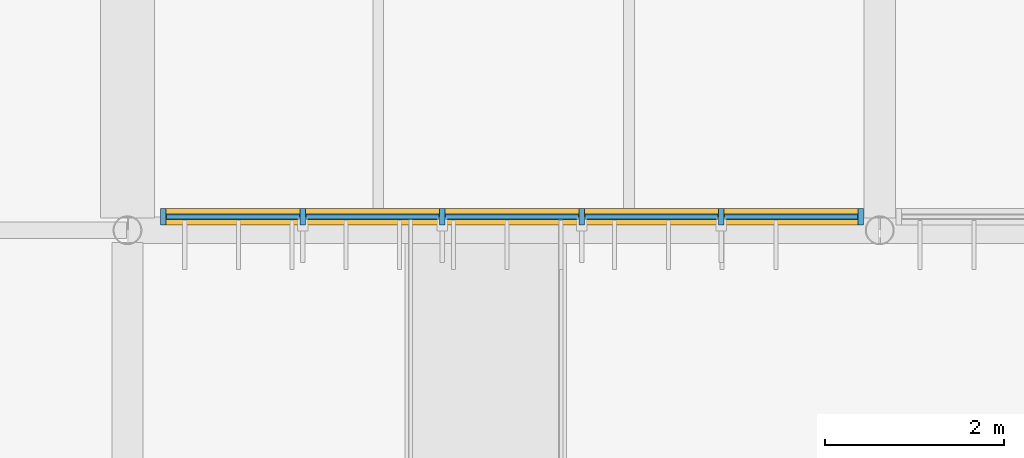
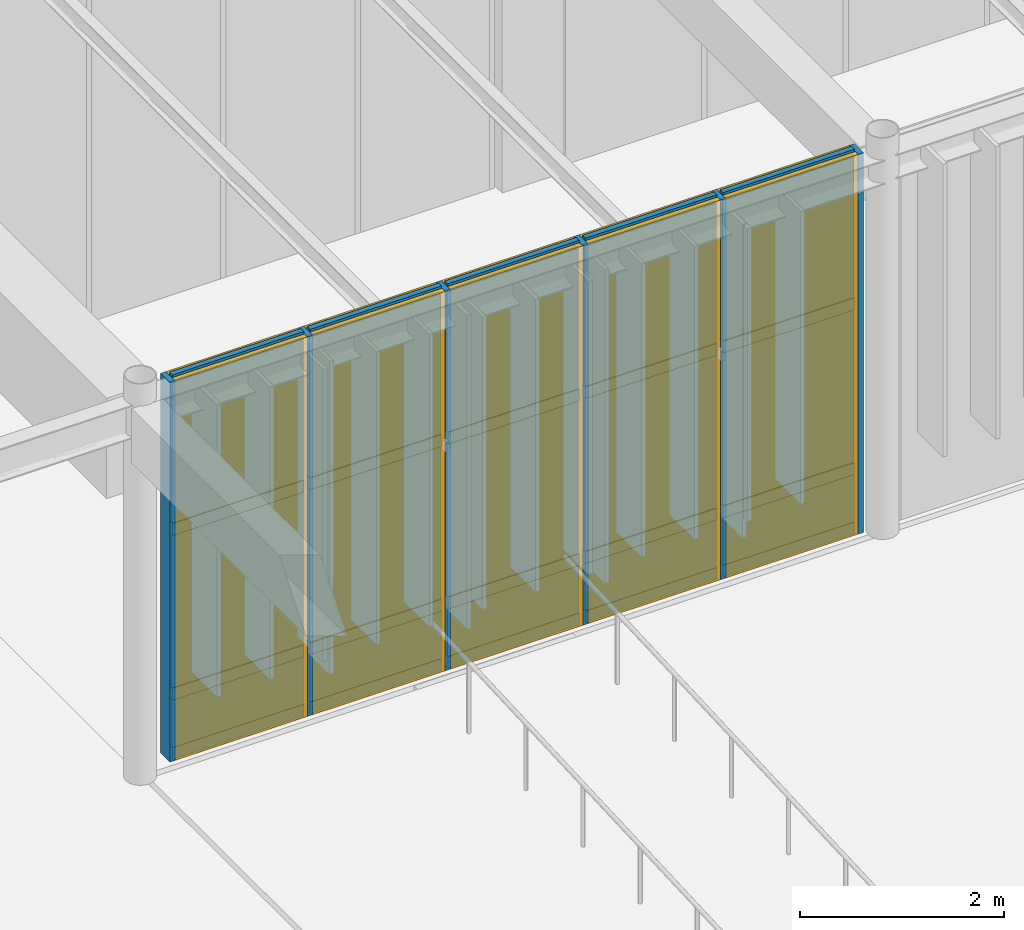
# One storey, part 65 of 122: 26 members, 15 plates, 1 curtain wall.
"""IFC4 building model written with IfcOpenShell, lengths in metres."""

from ifc_helpers import new_model, si_unit, direction, frame, frame_2d, origin, origin_2d, place, context, subcontext, project, spatial, rectangle, extrude, material, layer, layer_set, material_profile, profile_set, type_object, element, aggregate, save


model = new_model("IFC4")

# Units and contexts
model_context = context("Model", 3, precision=1e-05, world=origin(), true_north=direction((0.0, 1.0)))
body_context = subcontext(model_context, "Body", "Model", "MODEL_VIEW")
ifc_project = project(units=[si_unit("LENGTHUNIT", "METRE"), si_unit("AREAUNIT", "SQUARE_METRE"), si_unit("VOLUMEUNIT", "CUBIC_METRE"), si_unit("PLANEANGLEUNIT", "RADIAN"), si_unit("MASSUNIT", "GRAM", prefix="KILO")], contexts=[model_context])

# Member
ifc_material_1 = material(Name="Anodised Bronze Aluminium 6063-T6", Category="aluminium")
ifc_material_profile_1 = material_profile(ifc_material_1, rectangle(XDim=0.06005859375, YDim=0.179931640625, at=origin_2d()), Name="ALU MULLION 60x180")
ifc_profile_set_1 = profile_set([ifc_material_profile_1], Name="Anodised Bronze Aluminium 6063-T6")
member_type_1 = type_object("IfcMemberType", Name="Curtain-Wall Primary Mullion 60x180", PredefinedType="MULLION", material=ifc_profile_set_1)
site_placement = place(None, origin())
building_placement = place(site_placement, origin())
storey_placement = place(building_placement, origin())
member_1_placement = place(storey_placement, frame((28.0, 44.75, 0.0), z_axis=(0.0, 0.0, 1.0), x_axis=(1.0, 0.0, 0.0)))
member_1 = element("IfcMember", 1, at=member_1_placement, type_object=member_type_1, Name="Mullion CWM-01 CW-WLNK-S-L00-B1-M01", PredefinedType="MULLION", context=body_context, shape_type="SweptSolid", body=[
    extrude(rectangle(XDim=0.06005859375, YDim=0.179931640625, at=origin_2d()), origin(), (0.0, 0.0, 1.0), 4.5400390625),
])

member_2_placement = place(storey_placement, frame((29.5576171875, 44.75, 0.0), z_axis=(0.0, 0.0, 1.0), x_axis=(1.0, 0.0, 0.0)))
member_2 = element("IfcMember", 2, at=member_2_placement, type_object=member_type_1, Name="Mullion CWM-01 CW-WLNK-S-L00-B1-M02", PredefinedType="MULLION", context=body_context, shape_type="SweptSolid", body=[
    extrude(rectangle(XDim=0.06005859375, YDim=0.179931640625, at=origin_2d()), origin(), (0.0, 0.0, 1.0), 4.5400390625),
])

member_3_placement = place(storey_placement, frame((31.115234375, 44.75, 0.0), z_axis=(0.0, 0.0, 1.0), x_axis=(1.0, 0.0, 0.0)))
member_3 = element("IfcMember", 3, at=member_3_placement, type_object=member_type_1, Name="Mullion CWM-01 CW-WLNK-S-L00-B1-M03", PredefinedType="MULLION", context=body_context, shape_type="SweptSolid", body=[
    extrude(rectangle(XDim=0.06005859375, YDim=0.179931640625, at=origin_2d()), origin(), (0.0, 0.0, 1.0), 4.5400390625),
])

member_4_placement = place(storey_placement, frame((32.6728515625, 44.75, 0.0), z_axis=(0.0, 0.0, 1.0), x_axis=(1.0, 0.0, 0.0)))
member_4 = element("IfcMember", 4, at=member_4_placement, type_object=member_type_1, Name="Mullion CWM-01 CW-WLNK-S-L00-B1-M04", PredefinedType="MULLION", context=body_context, shape_type="SweptSolid", body=[
    extrude(rectangle(XDim=0.06005859375, YDim=0.179931640625, at=origin_2d()), origin(), (0.0, 0.0, 1.0), 4.5400390625),
])

member_5_placement = place(storey_placement, frame((34.23046875, 44.75, 0.0), z_axis=(0.0, 0.0, 1.0), x_axis=(1.0, 0.0, 0.0)))
member_5 = element("IfcMember", 5, at=member_5_placement, type_object=member_type_1, Name="Mullion CWM-01 CW-WLNK-S-L00-B1-M05", PredefinedType="MULLION", context=body_context, shape_type="SweptSolid", body=[
    extrude(rectangle(XDim=0.06005859375, YDim=0.179931640625, at=origin_2d()), origin(), (0.0, 0.0, 1.0), 4.5400390625),
])

member_6_placement = place(storey_placement, frame((35.7880859375, 44.75, 0.0), z_axis=(0.0, 0.0, 1.0), x_axis=(1.0, 0.0, 0.0)))
member_6 = element("IfcMember", 6, at=member_6_placement, type_object=member_type_1, Name="Mullion CWM-01 CW-WLNK-S-L00-B1-M06", PredefinedType="MULLION", context=body_context, shape_type="SweptSolid", body=[
    extrude(rectangle(XDim=0.06005859375, YDim=0.179931640625, at=origin_2d()), origin(), (0.0, 0.0, 1.0), 4.5400390625),
])

ifc_material_profile_2 = material_profile(ifc_material_1, rectangle(XDim=0.06005859375, YDim=0.139892578125, at=origin_2d()), Name="ALU TRANSOM 60x140")
ifc_profile_set_2 = profile_set([ifc_material_profile_2], Name="Anodised Bronze Aluminium 6063-T6")
member_type_2 = type_object("IfcMemberType", Name="Curtain-Wall Transom 60x140", PredefinedType="USERDEFINED", material=ifc_profile_set_2)
member_7_placement = place(storey_placement, frame((28.034912109375, 44.75, 0.0400390625), z_axis=(1.0, 0.0, 0.0), x_axis=(0.0, 1.0, 0.0)))
member_7 = element("IfcMember", 7, at=member_7_placement, type_object=member_type_2, Name="Transom CWT-01 CW-WLNK-S-L00-B1-T01.1", ObjectType="TRANSOM", PredefinedType="USERDEFINED", context=body_context, shape_type="SweptSolid", body=[
    extrude(rectangle(XDim=0.06005859375, YDim=0.139892578125, at=origin_2d()), origin(), (0.0, 0.0, 1.0), 1.48779296875),
])

member_8_placement = place(storey_placement, frame((28.034912109375, 44.75, 0.75), z_axis=(1.0, 0.0, 0.0), x_axis=(0.0, 1.0, 0.0)))
member_8 = element("IfcMember", 8, at=member_8_placement, type_object=member_type_2, Name="Transom CWT-01 CW-WLNK-S-L00-B1-T01.2", ObjectType="TRANSOM", PredefinedType="USERDEFINED", context=body_context, shape_type="SweptSolid", body=[
    extrude(rectangle(XDim=0.06005859375, YDim=0.139892578125, at=origin_2d()), origin(), (0.0, 0.0, 1.0), 1.48779296875),
])

member_9_placement = place(storey_placement, frame((28.034912109375, 44.75, 2.720703125), z_axis=(1.0, 0.0, 0.0), x_axis=(0.0, 1.0, 0.0)))
member_9 = element("IfcMember", 9, at=member_9_placement, type_object=member_type_2, Name="Transom CWT-01 CW-WLNK-S-L00-B1-T01.3", ObjectType="TRANSOM", PredefinedType="USERDEFINED", context=body_context, shape_type="SweptSolid", body=[
    extrude(rectangle(XDim=0.06005859375, YDim=0.139892578125, at=origin_2d()), origin(), (0.0, 0.0, 1.0), 1.48779296875),
])

member_10_placement = place(storey_placement, frame((28.034912109375, 44.75, 4.5), z_axis=(1.0, 0.0, 0.0), x_axis=(0.0, 1.0, 0.0)))
member_10 = element("IfcMember", 10, at=member_10_placement, type_object=member_type_2, Name="Transom CWT-01 CW-WLNK-S-L00-B1-T01.4", ObjectType="TRANSOM", PredefinedType="USERDEFINED", context=body_context, shape_type="SweptSolid", body=[
    extrude(rectangle(XDim=0.06005859375, YDim=0.139892578125, at=origin_2d()), origin(), (0.0, 0.0, 1.0), 1.48779296875),
])

member_11_placement = place(storey_placement, frame((29.592529296875, 44.75, 0.0400390625), z_axis=(1.0, 0.0, 0.0), x_axis=(0.0, 1.0, 0.0)))
member_11 = element("IfcMember", 11, at=member_11_placement, type_object=member_type_2, Name="Transom CWT-01 CW-WLNK-S-L00-B1-T02.1", ObjectType="TRANSOM", PredefinedType="USERDEFINED", context=body_context, shape_type="SweptSolid", body=[
    extrude(rectangle(XDim=0.06005859375, YDim=0.139892578125, at=origin_2d()), origin(), (0.0, 0.0, 1.0), 1.487548828125),
])

member_12_placement = place(storey_placement, frame((29.592529296875, 44.75, 0.75), z_axis=(1.0, 0.0, 0.0), x_axis=(0.0, 1.0, 0.0)))
member_12 = element("IfcMember", 12, at=member_12_placement, type_object=member_type_2, Name="Transom CWT-01 CW-WLNK-S-L00-B1-T02.2", ObjectType="TRANSOM", PredefinedType="USERDEFINED", context=body_context, shape_type="SweptSolid", body=[
    extrude(rectangle(XDim=0.06005859375, YDim=0.139892578125, at=origin_2d()), origin(), (0.0, 0.0, 1.0), 1.487548828125),
])

member_13_placement = place(storey_placement, frame((29.592529296875, 44.75, 2.720703125), z_axis=(1.0, 0.0, 0.0), x_axis=(0.0, 1.0, 0.0)))
member_13 = element("IfcMember", 13, at=member_13_placement, type_object=member_type_2, Name="Transom CWT-01 CW-WLNK-S-L00-B1-T02.3", ObjectType="TRANSOM", PredefinedType="USERDEFINED", context=body_context, shape_type="SweptSolid", body=[
    extrude(rectangle(XDim=0.06005859375, YDim=0.139892578125, at=origin_2d()), origin(), (0.0, 0.0, 1.0), 1.487548828125),
])

member_14_placement = place(storey_placement, frame((29.592529296875, 44.75, 4.5), z_axis=(1.0, 0.0, 0.0), x_axis=(0.0, 1.0, 0.0)))
member_14 = element("IfcMember", 14, at=member_14_placement, type_object=member_type_2, Name="Transom CWT-01 CW-WLNK-S-L00-B1-T02.4", ObjectType="TRANSOM", PredefinedType="USERDEFINED", context=body_context, shape_type="SweptSolid", body=[
    extrude(rectangle(XDim=0.06005859375, YDim=0.139892578125, at=origin_2d()), origin(), (0.0, 0.0, 1.0), 1.487548828125),
])

member_15_placement = place(storey_placement, frame((31.150146484375, 44.75, 0.0400390625), z_axis=(1.0, 0.0, 0.0), x_axis=(0.0, 1.0, 0.0)))
member_15 = element("IfcMember", 15, at=member_15_placement, type_object=member_type_2, Name="Transom CWT-01 CW-WLNK-S-L00-B1-T03.1", ObjectType="TRANSOM", PredefinedType="USERDEFINED", context=body_context, shape_type="SweptSolid", body=[
    extrude(rectangle(XDim=0.06005859375, YDim=0.139892578125, at=origin_2d()), origin(), (0.0, 0.0, 1.0), 1.487548828125),
])

member_16_placement = place(storey_placement, frame((31.150146484375, 44.75, 0.75), z_axis=(1.0, 0.0, 0.0), x_axis=(0.0, 1.0, 0.0)))
member_16 = element("IfcMember", 16, at=member_16_placement, type_object=member_type_2, Name="Transom CWT-01 CW-WLNK-S-L00-B1-T03.2", ObjectType="TRANSOM", PredefinedType="USERDEFINED", context=body_context, shape_type="SweptSolid", body=[
    extrude(rectangle(XDim=0.06005859375, YDim=0.139892578125, at=origin_2d()), origin(), (0.0, 0.0, 1.0), 1.487548828125),
])

member_17_placement = place(storey_placement, frame((31.150146484375, 44.75, 2.720703125), z_axis=(1.0, 0.0, 0.0), x_axis=(0.0, 1.0, 0.0)))
member_17 = element("IfcMember", 17, at=member_17_placement, type_object=member_type_2, Name="Transom CWT-01 CW-WLNK-S-L00-B1-T03.3", ObjectType="TRANSOM", PredefinedType="USERDEFINED", context=body_context, shape_type="SweptSolid", body=[
    extrude(rectangle(XDim=0.06005859375, YDim=0.139892578125, at=origin_2d()), origin(), (0.0, 0.0, 1.0), 1.487548828125),
])

member_18_placement = place(storey_placement, frame((31.150146484375, 44.75, 4.5), z_axis=(1.0, 0.0, 0.0), x_axis=(0.0, 1.0, 0.0)))
member_18 = element("IfcMember", 18, at=member_18_placement, type_object=member_type_2, Name="Transom CWT-01 CW-WLNK-S-L00-B1-T03.4", ObjectType="TRANSOM", PredefinedType="USERDEFINED", context=body_context, shape_type="SweptSolid", body=[
    extrude(rectangle(XDim=0.06005859375, YDim=0.139892578125, at=origin_2d()), origin(), (0.0, 0.0, 1.0), 1.487548828125),
])

member_19_placement = place(storey_placement, frame((32.707763671875, 44.75, 0.0400390625), z_axis=(1.0, 0.0, 0.0), x_axis=(0.0, 1.0, 0.0)))
member_19 = element("IfcMember", 19, at=member_19_placement, type_object=member_type_2, Name="Transom CWT-01 CW-WLNK-S-L00-B1-T04.1", ObjectType="TRANSOM", PredefinedType="USERDEFINED", context=body_context, shape_type="SweptSolid", body=[
    extrude(rectangle(XDim=0.06005859375, YDim=0.139892578125, at=origin_2d()), origin(), (0.0, 0.0, 1.0), 1.487548828125),
])

member_20_placement = place(storey_placement, frame((32.707763671875, 44.75, 0.75), z_axis=(1.0, 0.0, 0.0), x_axis=(0.0, 1.0, 0.0)))
member_20 = element("IfcMember", 20, at=member_20_placement, type_object=member_type_2, Name="Transom CWT-01 CW-WLNK-S-L00-B1-T04.2", ObjectType="TRANSOM", PredefinedType="USERDEFINED", context=body_context, shape_type="SweptSolid", body=[
    extrude(rectangle(XDim=0.06005859375, YDim=0.139892578125, at=origin_2d()), origin(), (0.0, 0.0, 1.0), 1.487548828125),
])

member_21_placement = place(storey_placement, frame((32.707763671875, 44.75, 2.720703125), z_axis=(1.0, 0.0, 0.0), x_axis=(0.0, 1.0, 0.0)))
member_21 = element("IfcMember", 21, at=member_21_placement, type_object=member_type_2, Name="Transom CWT-01 CW-WLNK-S-L00-B1-T04.3", ObjectType="TRANSOM", PredefinedType="USERDEFINED", context=body_context, shape_type="SweptSolid", body=[
    extrude(rectangle(XDim=0.06005859375, YDim=0.139892578125, at=origin_2d()), origin(), (0.0, 0.0, 1.0), 1.487548828125),
])

member_22_placement = place(storey_placement, frame((32.707763671875, 44.75, 4.5), z_axis=(1.0, 0.0, 0.0), x_axis=(0.0, 1.0, 0.0)))
member_22 = element("IfcMember", 22, at=member_22_placement, type_object=member_type_2, Name="Transom CWT-01 CW-WLNK-S-L00-B1-T04.4", ObjectType="TRANSOM", PredefinedType="USERDEFINED", context=body_context, shape_type="SweptSolid", body=[
    extrude(rectangle(XDim=0.06005859375, YDim=0.139892578125, at=origin_2d()), origin(), (0.0, 0.0, 1.0), 1.487548828125),
])

member_23_placement = place(storey_placement, frame((34.265380859375, 44.75, 0.0400390625), z_axis=(1.0, 0.0, 0.0), x_axis=(0.0, 1.0, 0.0)))
member_23 = element("IfcMember", 23, at=member_23_placement, type_object=member_type_2, Name="Transom CWT-01 CW-WLNK-S-L00-B1-T05.1", ObjectType="TRANSOM", PredefinedType="USERDEFINED", context=body_context, shape_type="SweptSolid", body=[
    extrude(rectangle(XDim=0.06005859375, YDim=0.139892578125, at=origin_2d()), origin(), (0.0, 0.0, 1.0), 1.487548828125),
])

member_24_placement = place(storey_placement, frame((34.265380859375, 44.75, 0.75), z_axis=(1.0, 0.0, 0.0), x_axis=(0.0, 1.0, 0.0)))
member_24 = element("IfcMember", 24, at=member_24_placement, type_object=member_type_2, Name="Transom CWT-01 CW-WLNK-S-L00-B1-T05.2", ObjectType="TRANSOM", PredefinedType="USERDEFINED", context=body_context, shape_type="SweptSolid", body=[
    extrude(rectangle(XDim=0.06005859375, YDim=0.139892578125, at=origin_2d()), origin(), (0.0, 0.0, 1.0), 1.487548828125),
])

member_25_placement = place(storey_placement, frame((34.265380859375, 44.75, 2.720703125), z_axis=(1.0, 0.0, 0.0), x_axis=(0.0, 1.0, 0.0)))
member_25 = element("IfcMember", 25, at=member_25_placement, type_object=member_type_2, Name="Transom CWT-01 CW-WLNK-S-L00-B1-T05.3", ObjectType="TRANSOM", PredefinedType="USERDEFINED", context=body_context, shape_type="SweptSolid", body=[
    extrude(rectangle(XDim=0.06005859375, YDim=0.139892578125, at=origin_2d()), origin(), (0.0, 0.0, 1.0), 1.487548828125),
])

member_26_placement = place(storey_placement, frame((34.265380859375, 44.75, 4.5), z_axis=(1.0, 0.0, 0.0), x_axis=(0.0, 1.0, 0.0)))
member_26 = element("IfcMember", 26, at=member_26_placement, type_object=member_type_2, Name="Transom CWT-01 CW-WLNK-S-L00-B1-T05.4", ObjectType="TRANSOM", PredefinedType="USERDEFINED", context=body_context, shape_type="SweptSolid", body=[
    extrude(rectangle(XDim=0.06005859375, YDim=0.139892578125, at=origin_2d()), origin(), (0.0, 0.0, 1.0), 1.487548828125),
])

# Plate
ifc_material_2 = material(Name="Insulated Bronze Aluminium Spandrel Panel", Category="aluminium")
ifc_layer_1 = layer(ifc_material_2, 0.050048828125, Name="Insulated Bronze Aluminium Spandrel Panel")
ifc_layer_set_1 = layer_set([ifc_layer_1], Name="Insulated Bronze Aluminium Spandrel Panel")
plate_type_1 = type_object("IfcPlateType", Name="Insulated Anodised Aluminium Spandrel Cassette 50", PredefinedType="CURTAIN_PANEL", material=ifc_layer_set_1)
plate_1_placement = place(storey_placement, frame((28.77880859375, 44.75, 0.070068359375), z_axis=(0.0, 0.0, 1.0), x_axis=(1.0, 0.0, 0.0)))
plate_1 = element("IfcPlate", 27, at=plate_1_placement, type_object=plate_type_1, Name="Curtain Panel CWP-03 CW-WLNK-S-L00-B1-P01.1", PredefinedType="CURTAIN_PANEL", context=body_context, shape_type="SweptSolid", body=[
    extrude(rectangle(XDim=1.487548828125, YDim=0.050048828125, at=origin_2d()), origin(), (0.0, 0.0, 1.0), 0.64990234375),
])

plate_2_placement = place(storey_placement, frame((30.33642578125, 44.75, 0.070068359375), z_axis=(0.0, 0.0, 1.0), x_axis=(1.0, 0.0, 0.0)))
plate_2 = element("IfcPlate", 28, at=plate_2_placement, type_object=plate_type_1, Name="Curtain Panel CWP-03 CW-WLNK-S-L00-B1-P02.1", PredefinedType="CURTAIN_PANEL", context=body_context, shape_type="SweptSolid", body=[
    extrude(rectangle(XDim=1.487548828125, YDim=0.050048828125, at=origin_2d()), origin(), (0.0, 0.0, 1.0), 0.64990234375),
])

plate_3_placement = place(storey_placement, frame((31.89404296875, 44.75, 0.070068359375), z_axis=(0.0, 0.0, 1.0), x_axis=(1.0, 0.0, 0.0)))
plate_3 = element("IfcPlate", 29, at=plate_3_placement, type_object=plate_type_1, Name="Curtain Panel CWP-03 CW-WLNK-S-L00-B1-P03.1", PredefinedType="CURTAIN_PANEL", context=body_context, shape_type="SweptSolid", body=[
    extrude(rectangle(XDim=1.487548828125, YDim=0.050048828125, at=origin_2d()), origin(), (0.0, 0.0, 1.0), 0.64990234375),
])

plate_4_placement = place(storey_placement, frame((33.45166015625, 44.75, 0.070068359375), z_axis=(0.0, 0.0, 1.0), x_axis=(1.0, 0.0, 0.0)))
plate_4 = element("IfcPlate", 30, at=plate_4_placement, type_object=plate_type_1, Name="Curtain Panel CWP-03 CW-WLNK-S-L00-B1-P04.1", PredefinedType="CURTAIN_PANEL", context=body_context, shape_type="SweptSolid", body=[
    extrude(rectangle(XDim=1.487548828125, YDim=0.050048828125, at=origin_2d()), origin(), (0.0, 0.0, 1.0), 0.64990234375),
])

plate_5_placement = place(storey_placement, frame((35.00927734375, 44.75, 0.070068359375), z_axis=(0.0, 0.0, 1.0), x_axis=(1.0, 0.0, 0.0)))
plate_5 = element("IfcPlate", 31, at=plate_5_placement, type_object=plate_type_1, Name="Curtain Panel CWP-03 CW-WLNK-S-L00-B1-P05.1", PredefinedType="CURTAIN_PANEL", context=body_context, shape_type="SweptSolid", body=[
    extrude(rectangle(XDim=1.487548828125, YDim=0.050048828125, at=origin_2d()), origin(), (0.0, 0.0, 1.0), 0.64990234375),
])

ifc_material_3 = material(Name="Solar-Control Tempered Double Glazing", Category="glass")
ifc_layer_2 = layer(ifc_material_3, 0.0380859375, Name="Solar-Control Tempered Double Glazing")
ifc_layer_set_2 = layer_set([ifc_layer_2], Name="Solar-Control Tempered Double Glazing")
plate_type_2 = type_object("IfcPlateType", Name="Solar-Control Vision Glazing Unit 38", PredefinedType="CURTAIN_PANEL", material=ifc_layer_set_2)
plate_6_placement = place(storey_placement, frame((28.77880859375, 44.75, 0.77978515625), z_axis=(0.0, 0.0, 1.0), x_axis=(1.0, 0.0, 0.0)))
plate_6 = element("IfcPlate", 32, at=plate_6_placement, type_object=plate_type_2, Name="Curtain Panel CWP-02 CW-WLNK-S-L00-B1-P01.2", PredefinedType="CURTAIN_PANEL", context=body_context, shape_type="SweptSolid", body=[
    extrude(rectangle(XDim=1.487548828125, YDim=0.0380859375, at=origin_2d()), origin(), (0.0, 0.0, 1.0), 1.910888671875),
])

plate_7_placement = place(storey_placement, frame((28.77880859375, 44.75, 2.750732421875), z_axis=(0.0, 0.0, 1.0), x_axis=(1.0, 0.0, 0.0)))
plate_7 = element("IfcPlate", 33, at=plate_7_placement, type_object=plate_type_2, Name="Curtain Panel CWP-02 CW-WLNK-S-L00-B1-P01.3", PredefinedType="CURTAIN_PANEL", context=body_context, shape_type="SweptSolid", body=[
    extrude(rectangle(XDim=1.487548828125, YDim=0.0380859375, at=origin_2d()), origin(), (0.0, 0.0, 1.0), 1.71923828125),
])

plate_8_placement = place(storey_placement, frame((30.33642578125, 44.75, 0.77978515625), z_axis=(0.0, 0.0, 1.0), x_axis=(1.0, 0.0, 0.0)))
plate_8 = element("IfcPlate", 34, at=plate_8_placement, type_object=plate_type_2, Name="Curtain Panel CWP-02 CW-WLNK-S-L00-B1-P02.2", PredefinedType="CURTAIN_PANEL", context=body_context, shape_type="SweptSolid", body=[
    extrude(rectangle(XDim=1.487548828125, YDim=0.0380859375, at=origin_2d()), origin(), (0.0, 0.0, 1.0), 1.910888671875),
])

plate_9_placement = place(storey_placement, frame((30.33642578125, 44.75, 2.750732421875), z_axis=(0.0, 0.0, 1.0), x_axis=(1.0, 0.0, 0.0)))
plate_9 = element("IfcPlate", 35, at=plate_9_placement, type_object=plate_type_2, Name="Curtain Panel CWP-02 CW-WLNK-S-L00-B1-P02.3", PredefinedType="CURTAIN_PANEL", context=body_context, shape_type="SweptSolid", body=[
    extrude(rectangle(XDim=1.487548828125, YDim=0.0380859375, at=origin_2d()), origin(), (0.0, 0.0, 1.0), 1.71923828125),
])

plate_10_placement = place(storey_placement, frame((31.89404296875, 44.75, 0.77978515625), z_axis=(0.0, 0.0, 1.0), x_axis=(1.0, 0.0, 0.0)))
plate_10 = element("IfcPlate", 36, at=plate_10_placement, type_object=plate_type_2, Name="Curtain Panel CWP-02 CW-WLNK-S-L00-B1-P03.2", PredefinedType="CURTAIN_PANEL", context=body_context, shape_type="SweptSolid", body=[
    extrude(rectangle(XDim=1.487548828125, YDim=0.0380859375, at=origin_2d()), origin(), (0.0, 0.0, 1.0), 1.910888671875),
])

plate_11_placement = place(storey_placement, frame((31.89404296875, 44.75, 2.750732421875), z_axis=(0.0, 0.0, 1.0), x_axis=(1.0, 0.0, 0.0)))
plate_11 = element("IfcPlate", 37, at=plate_11_placement, type_object=plate_type_2, Name="Curtain Panel CWP-02 CW-WLNK-S-L00-B1-P03.3", PredefinedType="CURTAIN_PANEL", context=body_context, shape_type="SweptSolid", body=[
    extrude(rectangle(XDim=1.487548828125, YDim=0.0380859375, at=origin_2d()), origin(), (0.0, 0.0, 1.0), 1.71923828125),
])

plate_12_placement = place(storey_placement, frame((33.45166015625, 44.75, 0.77978515625), z_axis=(0.0, 0.0, 1.0), x_axis=(1.0, 0.0, 0.0)))
plate_12 = element("IfcPlate", 38, at=plate_12_placement, type_object=plate_type_2, Name="Curtain Panel CWP-02 CW-WLNK-S-L00-B1-P04.2", PredefinedType="CURTAIN_PANEL", context=body_context, shape_type="SweptSolid", body=[
    extrude(rectangle(XDim=1.487548828125, YDim=0.0380859375, at=origin_2d()), origin(), (0.0, 0.0, 1.0), 1.910888671875),
])

plate_13_placement = place(storey_placement, frame((33.45166015625, 44.75, 2.750732421875), z_axis=(0.0, 0.0, 1.0), x_axis=(1.0, 0.0, 0.0)))
plate_13 = element("IfcPlate", 39, at=plate_13_placement, type_object=plate_type_2, Name="Curtain Panel CWP-02 CW-WLNK-S-L00-B1-P04.3", PredefinedType="CURTAIN_PANEL", context=body_context, shape_type="SweptSolid", body=[
    extrude(rectangle(XDim=1.487548828125, YDim=0.0380859375, at=origin_2d()), origin(), (0.0, 0.0, 1.0), 1.71923828125),
])

plate_14_placement = place(storey_placement, frame((35.00927734375, 44.75, 0.77978515625), z_axis=(0.0, 0.0, 1.0), x_axis=(1.0, 0.0, 0.0)))
plate_14 = element("IfcPlate", 40, at=plate_14_placement, type_object=plate_type_2, Name="Curtain Panel CWP-02 CW-WLNK-S-L00-B1-P05.2", PredefinedType="CURTAIN_PANEL", context=body_context, shape_type="SweptSolid", body=[
    extrude(rectangle(XDim=1.487548828125, YDim=0.0380859375, at=origin_2d()), origin(), (0.0, 0.0, 1.0), 1.910888671875),
])

plate_15_placement = place(storey_placement, frame((35.00927734375, 44.75, 2.750732421875), z_axis=(0.0, 0.0, 1.0), x_axis=(1.0, 0.0, 0.0)))
plate_15 = element("IfcPlate", 41, at=plate_15_placement, type_object=plate_type_2, Name="Curtain Panel CWP-02 CW-WLNK-S-L00-B1-P05.3", PredefinedType="CURTAIN_PANEL", context=body_context, shape_type="SweptSolid", body=[
    extrude(rectangle(XDim=1.487548828125, YDim=0.0380859375, at=origin_2d()), origin(), (0.0, 0.0, 1.0), 1.71923828125),
])

# Site, building, storey
site = spatial("IfcSite", under=ifc_project, at=site_placement, CompositionType="ELEMENT")
building = spatial("IfcBuilding", under=site, at=building_placement, Name="Tazoul Stagehouse", CompositionType="ELEMENT")
storey = spatial("IfcBuildingStorey", under=building, at=storey_placement, Name="L00", CompositionType="ELEMENT", Elevation=0.0)

# Curtain wall
curtain_wall_type = type_object("IfcCurtainWallType", Name="Foyer Clear Solar-Control Curtain Wall", PredefinedType="NOTDEFINED", material=ifc_material_1)
curtain_wall_placement = place(storey_placement, frame((28.0, 44.75, 0.0), z_axis=(0.0, 0.0, 1.0), x_axis=(1.0, 0.0, 0.0)))
curtain_wall = element("IfcCurtainWall", 42, at=curtain_wall_placement, inside=storey, type_object=curtain_wall_type, Name="L00 Curtain Wall CW-02 (CW-WLNK-S-L00-B1)", PredefinedType="NOTDEFINED", context=body_context, shape_type="SweptSolid", body=[
    extrude(rectangle(XDim=7.7880859375, YDim=0.179931640625, at=frame_2d((3.89404296875, 0.0))), origin(), (0.0, 0.0, 1.0), 4.5400390625),
])

aggregate(curtain_wall, [member_1, member_2, member_3, member_4, member_5, member_6, member_7, member_8, member_9, member_10, plate_1, plate_6, plate_7, member_11, member_12, member_13, member_14, plate_2, plate_8, plate_9, member_15, member_16, member_17, member_18, plate_3, plate_10, plate_11, member_19, member_20, member_21, member_22, plate_4, plate_12, plate_13, member_23, member_24, member_25, member_26, plate_5, plate_14, plate_15])

save(model, "model.ifc")
